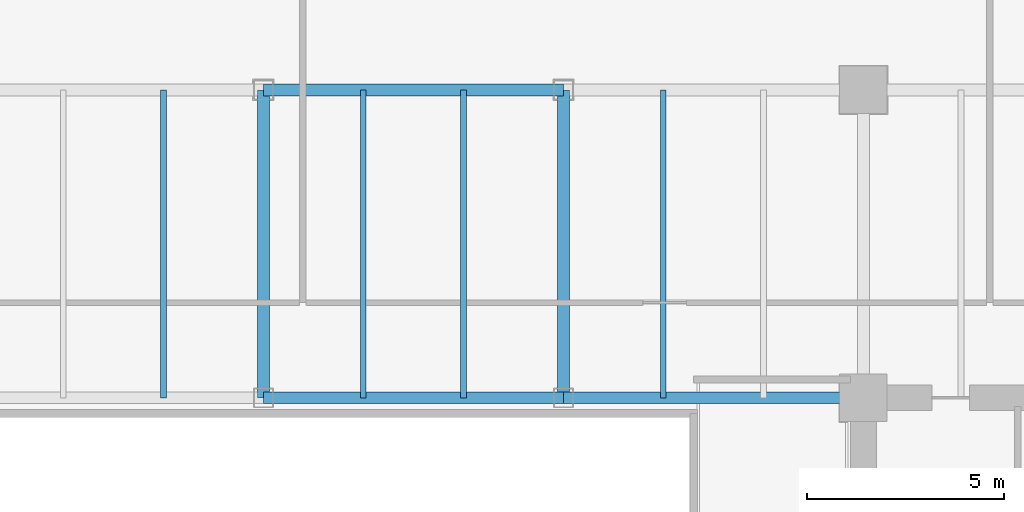
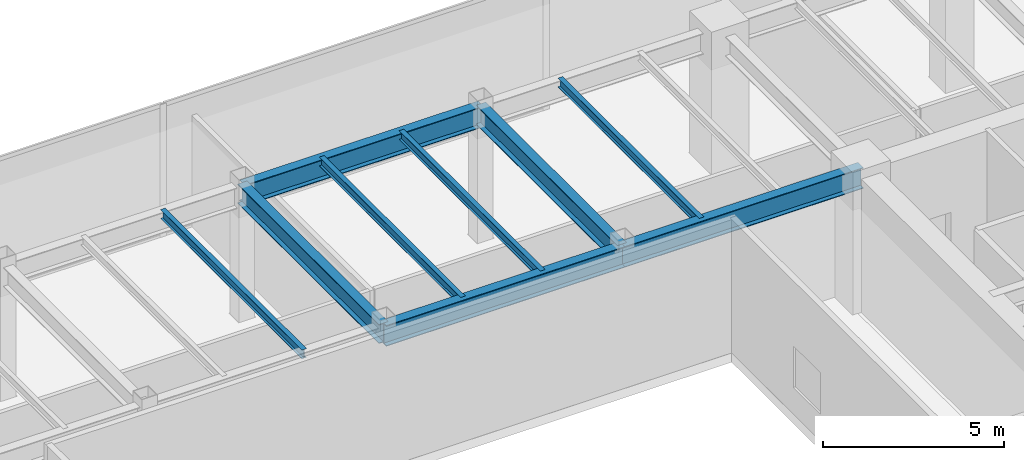
# One storey, part 17 of 33: 9 beams.
"""IFC4 building model written with IfcOpenShell, lengths in metres."""

from ifc_helpers import new_model, si_unit, direction, frame, origin, origin_2d, place, context, subcontext, project, spatial, i_section, extrude, source, transform, mapped, material, material_profile, profile_set, type_object, type_shapes, element, save


model = new_model("IFC4")

# Units and contexts
model_context = context("Model", 3, precision=1e-05, world=origin(), true_north=direction((0.0, 1.0)))
body_context = subcontext(model_context, "Body", "Model", "MODEL_VIEW")
ifc_project = project(units=[si_unit("LENGTHUNIT", "METRE"), si_unit("AREAUNIT", "SQUARE_METRE"), si_unit("VOLUMEUNIT", "CUBIC_METRE"), si_unit("PLANEANGLEUNIT", "RADIAN"), si_unit("MASSUNIT", "GRAM", prefix="KILO")], contexts=[model_context])

# Site, building, storey
site_placement = place(None, origin())
site = spatial("IfcSite", under=ifc_project, at=site_placement, CompositionType="ELEMENT")
building_placement = place(site_placement, origin())
building = spatial("IfcBuilding", under=site, at=building_placement, Name="Haelvirn Gate Laboratories", CompositionType="ELEMENT")
storey_placement = place(building_placement, frame((0.0, 0.0, 100.300048828125)))
storey = spatial("IfcBuildingStorey", under=building, at=storey_placement, Name="L24", CompositionType="ELEMENT", Elevation=100.300048828125)

# Beams
ifc_material = material(Name="Steel SM355", Category="steel")
ifc_material_profile_1 = material_profile(ifc_material, i_section(OverallWidth=0.300048828125, OverallDepth=0.64990234375, WebThickness=0.012939453125, FlangeThickness=0.02197265625, at=origin_2d()), Name="H-650x300x13x22")
ifc_profile_set_1 = profile_set([ifc_material_profile_1], Name="Steel SM355")
beam_type_1 = type_object("IfcBeamType", Name="BM-G-650", PredefinedType="BEAM", material=ifc_profile_set_1)
shared_shape_1 = source(origin(), body_context, "Body", "SweptSolid", [
    extrude(i_section(OverallWidth=0.300048828125, OverallDepth=0.64990234375, WebThickness=0.012939453125, FlangeThickness=0.02197265625, at=origin_2d()), origin(), (0.0, 0.0, 1.0), 7.800048828125),
])
type_shapes(beam_type_1, [shared_shape_1])
for number, where, z_axis, x_axis, name in (
    (1, (37.39990234375, 33.800048828125, 4.1650390625), (0.0, 1.0, 0.0), (-1.0, 0.0, 0.0), "L24 Frame Girder X37.4 (33.8-41.6)"),
    (2, (45.0, 33.800048828125, 4.1650390625), (0.0, 1.0, 0.0), (-1.0, 0.0, 0.0), "L24 Frame Girder X45.0 (33.8-41.6)"),
):
    element("IfcBeam", number, at=place(storey_placement, frame(where, z_axis=z_axis, x_axis=x_axis)), inside=storey, type_object=beam_type_1, Name=name, PredefinedType="BEAM", context=body_context, shape_type="MappedRepresentation", body=[
        mapped(shared_shape_1, transform((0.0, 0.0, 0.0), scale=1.0)),
    ])
ifc_material_profile_2 = material_profile(ifc_material, i_section(OverallWidth=0.300048828125, OverallDepth=0.699951171875, WebThickness=0.012939453125, FlangeThickness=0.02392578125, at=origin_2d()), Name="H-700x300x13x24")
ifc_profile_set_2 = profile_set([ifc_material_profile_2], Name="Steel SM355")
beam_type_2 = type_object("IfcBeamType", Name="BM-G-700", PredefinedType="BEAM", material=ifc_profile_set_2)
shared_shape_2 = source(origin(), body_context, "Body", "SweptSolid", [
    extrude(i_section(OverallWidth=0.300048828125, OverallDepth=0.699951171875, WebThickness=0.012939453125, FlangeThickness=0.02392578125, at=origin_2d()), origin(), (0.0, 0.0, 1.0), 7.60009765625),
])
type_shapes(beam_type_2, [shared_shape_2])
for number, where, z_axis, x_axis, name in (
    (3, (37.39990234375, 33.800048828125, 4.139892578125), (1.0, 0.0, 0.0), (0.0, 1.0, 0.0), "L24 Primary Girder Y33.8 (37.4-45.0)"),
    (4, (45.0, 33.800048828125, 4.139892578125), (1.0, 0.0, 0.0), (0.0, 1.0, 0.0), "L24 Primary Girder Y33.8 (45.0-52.6)"),
    (5, (37.39990234375, 41.60009765625, 4.139892578125), (1.0, 0.0, 0.0), (0.0, 1.0, 0.0), "L24 Primary Girder Y41.6 (37.4-45.0)"),
):
    element("IfcBeam", number, at=place(storey_placement, frame(where, z_axis=z_axis, x_axis=x_axis)), inside=storey, type_object=beam_type_2, Name=name, PredefinedType="BEAM", context=body_context, shape_type="MappedRepresentation", body=[
        mapped(shared_shape_2, transform((0.0, 0.0, 0.0), scale=1.0)),
    ])
ifc_material_profile_3 = material_profile(ifc_material, i_section(OverallWidth=0.14990234375, OverallDepth=0.300048828125, WebThickness=0.006591796875, FlangeThickness=0.009033203125, at=origin_2d()), Name="H-300x150x6.5x9")
ifc_profile_set_3 = profile_set([ifc_material_profile_3], Name="Steel SM355")
beam_type_3 = type_object("IfcBeamType", Name="BM-J-300", PredefinedType="JOIST", material=ifc_profile_set_3)
shared_shape_3 = source(origin(), body_context, "Body", "SweptSolid", [
    extrude(i_section(OverallWidth=0.14990234375, OverallDepth=0.300048828125, WebThickness=0.006591796875, FlangeThickness=0.009033203125, at=origin_2d()), origin(), (0.0, 0.0, 1.0), 7.800048828125),
])
type_shapes(beam_type_3, [shared_shape_3])
for number, where, z_axis, x_axis, name in (
    (6, (34.8701171875, 33.800048828125, 4.33984375), (0.0, 1.0, 0.0), (-1.0, 0.0, 0.0), "L24 Composite Lab Joist North X34.87"),
    (7, (39.929931640625, 33.800048828125, 4.33984375), (0.0, 1.0, 0.0), (-1.0, 0.0, 0.0), "L24 Composite Lab Joist North X39.93"),
    (8, (42.469970703125, 33.800048828125, 4.33984375), (0.0, 1.0, 0.0), (-1.0, 0.0, 0.0), "L24 Composite Lab Joist North X42.47"),
    (9, (47.530029296875, 33.800048828125, 4.33984375), (0.0, 1.0, 0.0), (-1.0, 0.0, 0.0), "L24 Composite Lab Joist North X47.53"),
):
    element("IfcBeam", number, at=place(storey_placement, frame(where, z_axis=z_axis, x_axis=x_axis)), inside=storey, type_object=beam_type_3, Name=name, PredefinedType="JOIST", context=body_context, shape_type="MappedRepresentation", body=[
        mapped(shared_shape_3, transform((0.0, 0.0, 0.0), scale=1.0)),
    ])

save(model, "model.ifc")
